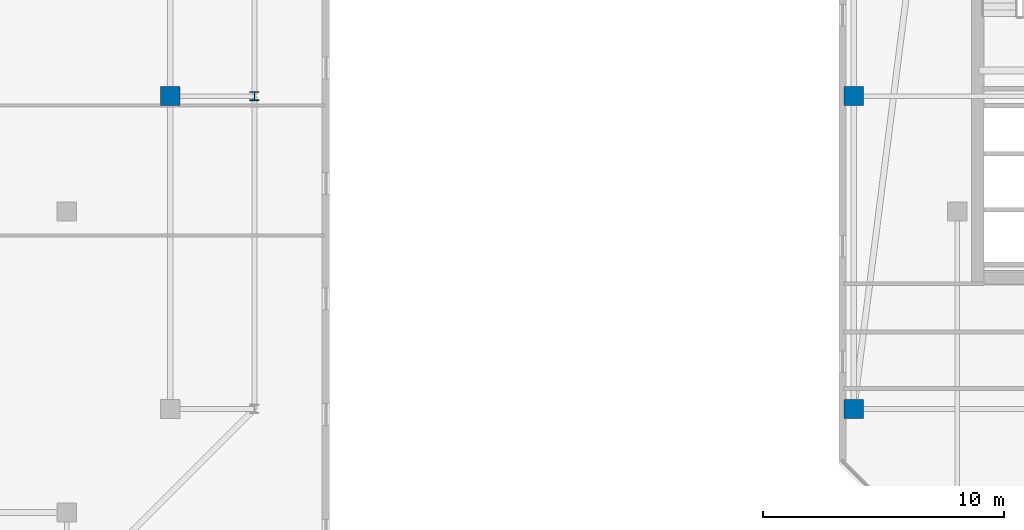
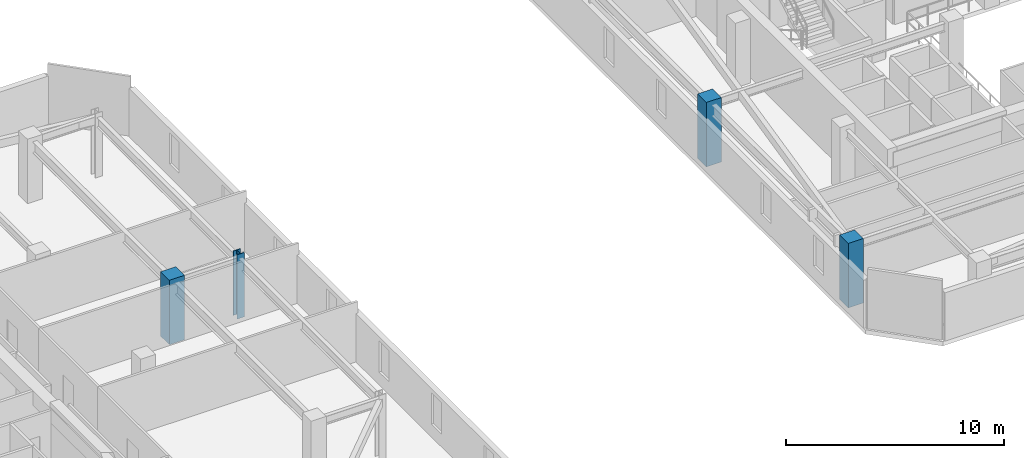
# One storey, part 2 of 35: 4 columns.
"""IFC4 building model written with IfcOpenShell, lengths in metres."""

from ifc_helpers import new_model, si_unit, direction, frame, origin, origin_2d, place, context, subcontext, project, spatial, rectangle, i_section, extrude, material, material_profile, profile_set, type_object, element, save


model = new_model("IFC4")

# Units and contexts
model_context = context("Model", 3, precision=1e-05, world=origin(), true_north=direction((0.0, 1.0)))
body_context = subcontext(model_context, "Body", "Model", "MODEL_VIEW")
ifc_project = project(units=[si_unit("LENGTHUNIT", "METRE"), si_unit("AREAUNIT", "SQUARE_METRE"), si_unit("VOLUMEUNIT", "CUBIC_METRE"), si_unit("PLANEANGLEUNIT", "RADIAN"), si_unit("MASSUNIT", "GRAM", prefix="KILO")], contexts=[model_context])

# Site, building, storey
site_placement = place(None, origin())
site = spatial("IfcSite", under=ifc_project, at=site_placement, CompositionType="ELEMENT")
building_placement = place(site_placement, origin())
building = spatial("IfcBuilding", under=site, at=building_placement, Name="Thornwick Lancets Civic Towers", CompositionType="ELEMENT")
storey_placement = place(building_placement, frame((0.0, 0.0, 272.699951171875)))
storey = spatial("IfcBuildingStorey", under=building, at=storey_placement, Name="L73", CompositionType="ELEMENT", Elevation=272.699951171875)

# Columns
ifc_material_1 = material(Name="Concrete C50/60", Category="concrete")
ifc_material_profile_1 = material_profile(ifc_material_1, rectangle(XDim=0.800048828125, YDim=0.800048828125, at=origin_2d()), Name="RC 800x800")
ifc_profile_set_1 = profile_set([ifc_material_profile_1], Name="Concrete C50/60")
column_type_1 = type_object("IfcColumnType", Name="COL_RC_800", PredefinedType="COLUMN", material=ifc_profile_set_1)
for number, where, z_axis, x_axis, name in (
    (1, (42.800048828125, 27.0, 0.0), (0.0, 0.0, 1.0), (1.0, 0.0, 0.0), "L73 Spine Mega-Column A05"),
    (2, (71.199951171875, 14.0, 0.0), (0.0, 0.0, 1.0), (1.0, 0.0, 0.0), "L73 Spine Mega-Column B07"),
    (3, (71.199951171875, 27.0, 0.0), (0.0, 0.0, 1.0), (1.0, 0.0, 0.0), "L73 Spine Mega-Column B08"),
):
    element("IfcColumn", number, at=place(storey_placement, frame(where, z_axis=z_axis, x_axis=x_axis)), inside=storey, type_object=column_type_1, Name=name, PredefinedType="COLUMN", context=body_context, shape_type="SweptSolid", body=[
        extrude(rectangle(XDim=0.800048828125, YDim=0.800048828125, at=origin_2d()), origin(), (0.0, 0.0, 1.0), 3.60009765625),
    ])
ifc_material_2 = material(Name="Steel S355JR", Category="steel")
ifc_material_profile_2 = material_profile(ifc_material_2, i_section(OverallWidth=0.374755859375, OverallDepth=0.37451171875, WebThickness=0.0166015625, FlangeThickness=0.027099609375, FilletRadius=0.01513671875, at=origin_2d()), Name="UKC 356x368x202")
ifc_profile_set_2 = profile_set([ifc_material_profile_2], Name="Steel S355JR")
column_type_2 = type_object("IfcColumnType", Name="COL_UKC_202", PredefinedType="COLUMN", material=ifc_profile_set_2)
column_placement = place(storey_placement, frame((46.300048828125, 27.0, 0.0), z_axis=(0.0, 0.0, 1.0), x_axis=(1.0, 0.0, 0.0)))
element("IfcColumn", 4, at=column_placement, inside=storey, type_object=column_type_2, Name="L73 Block Perimeter Column A05", PredefinedType="COLUMN", context=body_context, shape_type="SweptSolid", body=[
    extrude(i_section(OverallWidth=0.374755859375, OverallDepth=0.37451171875, WebThickness=0.0166015625, FlangeThickness=0.027099609375, FilletRadius=0.01513671875, at=origin_2d()), origin(), (0.0, 0.0, 1.0), 3.60009765625),
])

save(model, "model.ifc")
